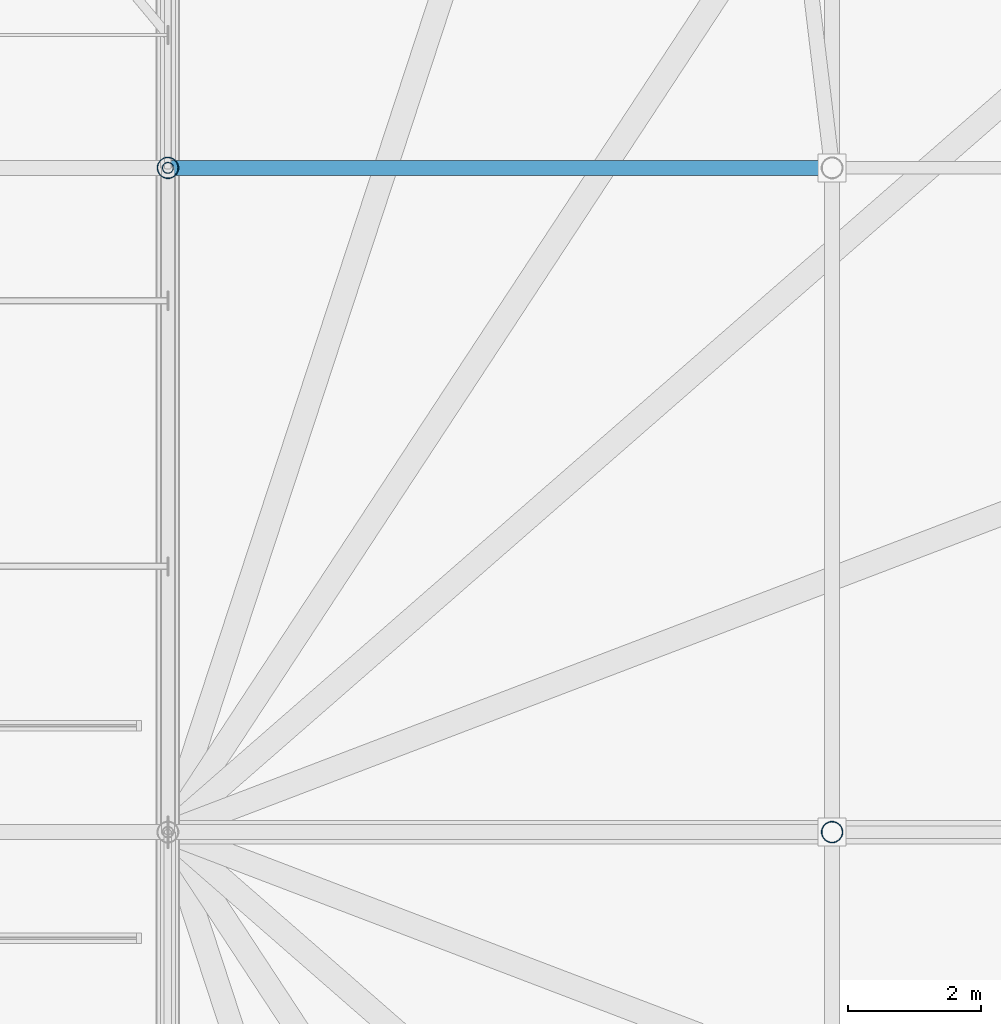
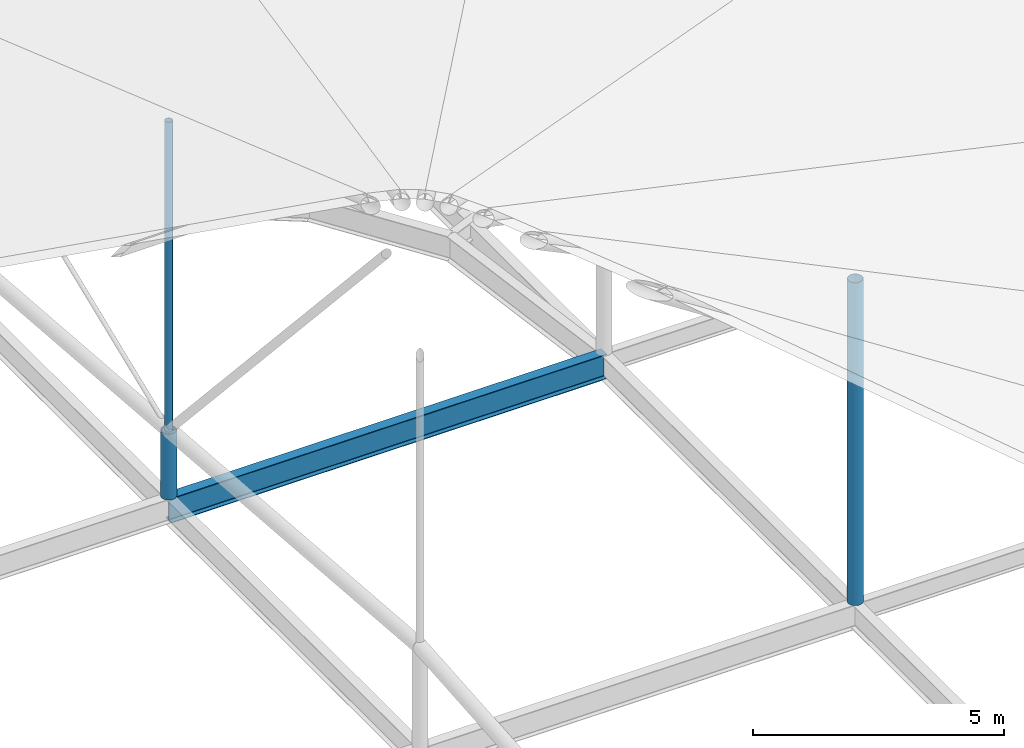
# One storey, part 69 of 93: 3 members, 1 beam.
"""IFC4 building model written with IfcOpenShell, lengths in metres."""

from ifc_helpers import new_model, si_unit, derived_unit, direction, frame, origin, origin_2d_with_axis, place, context, subcontext, project, spatial, hollow_circle, i_section, extrude, material, material_profile, profile_set, type_object, element, save


model = new_model("IFC4")

# Units and contexts
model_context = context("Model", 3, precision=1e-05, world=origin(), true_north=direction((0.0, 1.0)))
body_context = subcontext(model_context, "Body", "Model", "MODEL_VIEW")
ifc_project = project(units=[si_unit("LENGTHUNIT", "METRE"), si_unit("AREAUNIT", "SQUARE_METRE"), si_unit("VOLUMEUNIT", "CUBIC_METRE"), si_unit("PLANEANGLEUNIT", "RADIAN"), si_unit("MASSUNIT", "GRAM", prefix="KILO"), derived_unit("THERMALTRANSMITTANCEUNIT", [(si_unit("POWERUNIT", "WATT"), 1), (si_unit("LENGTHUNIT", "METRE"), -2), (si_unit("THERMODYNAMICTEMPERATUREUNIT", "KELVIN"), -1)])], contexts=[model_context])

# Site, building, storey
site_placement = place(None, origin())
site = spatial("IfcSite", under=ifc_project, at=site_placement, CompositionType="ELEMENT")
building_placement = place(site_placement, origin())
building = spatial("IfcBuilding", under=site, at=building_placement, Name="Cinnabar Yard Market Hall", CompositionType="ELEMENT")
storey_placement = place(building_placement, frame((0.0, 0.0, 23.800048828125)))
storey = spatial("IfcBuildingStorey", under=building, at=storey_placement, Name="ROOF", CompositionType="ELEMENT", Elevation=23.800048828125)

# Beam
ifc_material_1 = material(Name="Steel Grade 300 (300 MPa)", Category="steel")
ifc_material_profile_1 = material_profile(ifc_material_1, i_section(OverallWidth=0.22802734375, OverallDepth=0.60205078125, WebThickness=0.010498046875, FlangeThickness=0.014892578125, FilletRadius=0.013916015625, at=origin_2d_with_axis()), Name="610UB101")
ifc_profile_set_1 = profile_set([ifc_material_profile_1], Name="Steel Grade 300 (300 MPa)")
beam_type = type_object("IfcBeamType", Name="BM-B02", PredefinedType="BEAM", material=ifc_profile_set_1)
beam_placement = place(storey_placement, frame((146.0, 54.0, -9.700927734375), z_axis=(1.0, 0.0, 0.0), x_axis=(0.0, 1.0, 0.0)))
element("IfcBeam", 1, at=beam_placement, inside=storey, type_object=beam_type, Name="Hall Longitudinal Tie Girder 00403", PredefinedType="BEAM", context=body_context, shape_type="SweptSolid", body=[
    extrude(i_section(OverallWidth=0.22802734375, OverallDepth=0.60205078125, WebThickness=0.010498046875, FlangeThickness=0.014892578125, FilletRadius=0.013916015625, at=origin_2d_with_axis()), origin(), (0.0, 0.0, 1.0), 10.0),
])

# Members
ifc_material_2 = material(Name="Spotted-gum glulam-clad steel Grade 350 (350 MPa)", Category="steel")
ifc_material_profile_2 = material_profile(ifc_material_2, hollow_circle(Radius=0.161865234375, WallThickness=0.009521484375, at=origin_2d_with_axis()), Name="323.9x9.5CHS")
ifc_profile_set_2 = profile_set([ifc_material_profile_2], Name="Spotted-gum glulam-clad steel Grade 350 (350 MPa)")
member_type_1 = type_object("IfcMemberType", Name="MB-ST01", PredefinedType="STRUT", material=ifc_profile_set_2)
member_1_placement = place(storey_placement, frame((146.0, 54.0, -9.400146484375), z_axis=(0.0, 0.0, 1.0), x_axis=(1.0, 0.0, 0.0)))
element("IfcMember", 2, at=member_1_placement, inside=storey, type_object=member_type_1, Name="Truss Bearing Post 146-54", PredefinedType="STRUT", context=body_context, shape_type="SweptSolid", body=[
    extrude(hollow_circle(Radius=0.161865234375, WallThickness=0.009521484375, at=origin_2d_with_axis()), origin(), (0.0, 0.0, 1.0), 1.60009765625),
])
member_2_placement = place(storey_placement, frame((156.0, 44.0, -9.400146484375), z_axis=(0.0, 0.0, 1.0), x_axis=(1.0, 0.0, 0.0)))
element("IfcMember", 3, at=member_2_placement, inside=storey, type_object=member_type_1, Name="Apsidal Roof Post 156-44", PredefinedType="STRUT", context=body_context, shape_type="SweptSolid", body=[
    extrude(hollow_circle(Radius=0.161865234375, WallThickness=0.009521484375, at=origin_2d_with_axis()), origin(), (0.0, 0.0, 1.0), 7.840087890625),
])
ifc_material_3 = material(Name="Cold-formed steel C350L0", Category="steel")
ifc_material_profile_3 = material_profile(ifc_material_3, hollow_circle(Radius=0.084228515625, WallThickness=0.00634765625, at=origin_2d_with_axis()), Name="168.3x6.4CHS")
ifc_profile_set_3 = profile_set([ifc_material_profile_3], Name="Cold-formed steel C350L0")
member_type_2 = type_object("IfcMemberType", Name="MB-WB01", PredefinedType="STRUT", material=ifc_profile_set_3)
member_3_placement = place(storey_placement, frame((146.0, 54.0, -7.800048828125), z_axis=(0.0, 0.0, 1.0), x_axis=(1.0, 0.0, 0.0)))
element("IfcMember", 4, at=member_3_placement, inside=storey, type_object=member_type_2, Name="Hall Truss 146 Post 4", PredefinedType="STRUT", context=body_context, shape_type="SweptSolid", body=[
    extrude(hollow_circle(Radius=0.084228515625, WallThickness=0.00634765625, at=origin_2d_with_axis()), origin(), (0.0, 0.0, 1.0), 7.519287109375),
])

save(model, "model.ifc")
